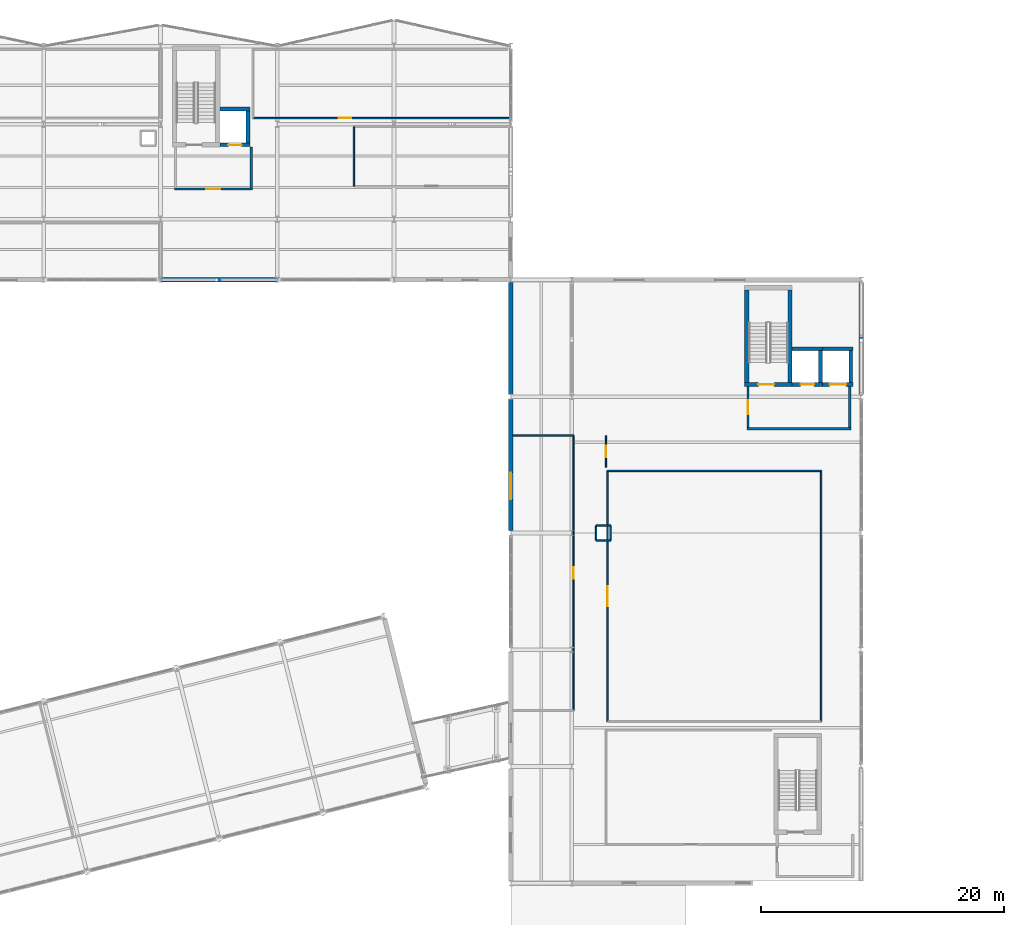
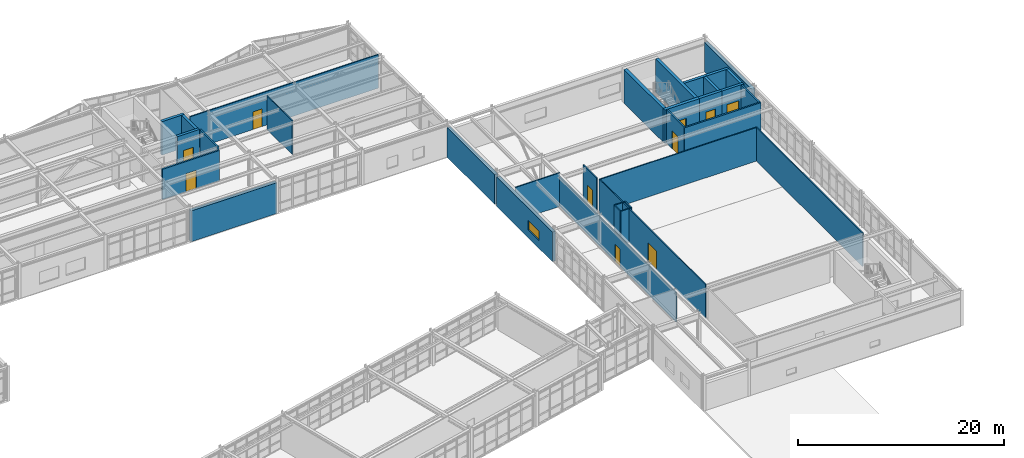
# One storey, part 75 of 88: 33 walls, 10 doors, 1 window, 11 openings.
"""IFC4 building model written with IfcOpenShell, lengths in metres."""

from ifc_helpers import new_model, si_unit, direction, frame, frame_2d, origin, place, context, subcontext, project, spatial, rectangle, extrude, material, layer, layer_set, type_object, element, fill, save


model = new_model("IFC4")

# Units and contexts
model_context = context("Model", 3, precision=1e-05, world=origin(), true_north=direction((0.0, 1.0)))
body_context = subcontext(model_context, "Body", "Model", "MODEL_VIEW")
ifc_project = project(units=[si_unit("LENGTHUNIT", "METRE"), si_unit("AREAUNIT", "SQUARE_METRE"), si_unit("VOLUMEUNIT", "CUBIC_METRE"), si_unit("PLANEANGLEUNIT", "RADIAN"), si_unit("MASSUNIT", "GRAM", prefix="KILO")], contexts=[model_context])

# Site, building, storey
site_placement = place(None, origin())
site = spatial("IfcSite", under=ifc_project, at=site_placement, CompositionType="ELEMENT")
building_placement = place(site_placement, origin())
building = spatial("IfcBuilding", under=site, at=building_placement, Name="Nordkorset Police Headquarters", CompositionType="ELEMENT")
storey_placement = place(building_placement, frame((0.0, 0.0, 9.449951171875)))
storey = spatial("IfcBuildingStorey", under=building, at=storey_placement, Name="L02", CompositionType="ELEMENT", Elevation=9.449951171875)

# Wall, opening, door
ifc_material_1 = material(Name="Gypsum board", Category="gypsum")
ifc_layer_1 = layer(ifc_material_1, 0.179931640625, Name="Gypsum board")
ifc_layer_set_1 = layer_set([ifc_layer_1], Name="Gypsum board")
wall_type_1 = type_object("IfcWallType", Name="Wall_Comp_180", PredefinedType="PARTITIONING", material=ifc_layer_set_1)
wall_1_placement = place(storey_placement, frame((58.75, 105.06005859375, 0.0), z_axis=(0.0, 0.0, 1.0), x_axis=(1.0, 0.0, 0.0)))
wall_1 = element("IfcWall", 1, at=wall_1_placement, inside=storey, type_object=wall_type_1, Name="Firefighting Lobby EI 60 Wall K2 L02 S", PredefinedType="PARTITIONING", context=body_context, shape_type="SweptSolid", body=[
    extrude(rectangle(XDim=6.39990234375, YDim=0.179931640625, at=frame_2d((3.199951171875, 0.0))), origin(), (0.0, 0.0, 1.0), 3.590087890625),
])
opening_1_placement = place(wall_1_placement, frame((2.625, 0.0, 0.0)))
opening_1 = element("IfcOpeningElement", 2, at=opening_1_placement, cuts=wall_1, Name="Opening DR-01", PredefinedType="OPENING", context=body_context, shape_type="SweptSolid", body=[
    extrude(rectangle(XDim=1.14990234375, YDim=2.14990234375, at=frame_2d((0.574951171875, 1.074951171875))), frame((0.0, 0.10009765625, 0.0), z_axis=(0.0, -1.0, 0.0), x_axis=(1.0, 0.0, 0.0)), (0.0, 0.0, 1.0), 0.199951171875),
])
ifc_material_2 = material(Name="Steel S355J2", Category="steel")
door_type_1 = type_object("IfcDoorType", Name="Door_LobbySingle_1150x2150", OperationType="NOTDEFINED", PredefinedType="DOOR", material=ifc_material_2)
door_1_placement = place(opening_1_placement, frame((1.14990234375, 0.0, 0.0), z_axis=(0.0, 0.0, 1.0), x_axis=(-1.0, 0.0, 0.0)))
door_1 = element("IfcDoor", 3, at=door_1_placement, inside=storey, type_object=door_type_1, Name="Firefighting Lobby Smoke Door K2 L02 S", OperationType="SINGLE_SWING_LEFT", OverallHeight=2.14990234375, OverallWidth=1.14990234375, PredefinedType="DOOR", context=body_context, shape_type="SweptSolid", body=[
    extrude(rectangle(XDim=1.14990234375, YDim=2.14990234375, at=frame_2d((0.574951171875, 1.074951171875))), frame((0.0, 0.02490234375, 0.0), z_axis=(0.0, -1.0, 0.0), x_axis=(1.0, 0.0, 0.0)), (0.0, 0.0, 1.0), 0.050048828125),
])
fill(opening_1, door_1)

# Walls
wall_2_placement = place(storey_placement, frame((65.06005859375, 105.14990234375, 0.0), z_axis=(0.0, 0.0, 1.0), x_axis=(0.0, 1.0, 0.0)))
element("IfcWall", 4, at=wall_2_placement, inside=storey, type_object=wall_type_1, Name="Firefighting Lobby EI 60 Wall K2 L02 E", PredefinedType="PARTITIONING", context=body_context, shape_type="SweptSolid", body=[
    extrude(rectangle(XDim=3.375, YDim=0.179931640625, at=frame_2d((1.6875, 0.0))), origin(), (0.0, 0.0, 1.0), 3.969970703125),
])
wall_3_placement = place(storey_placement, frame((105.800048828125, 85.360107421875, 0.0), z_axis=(0.0, 0.0, 1.0), x_axis=(1.0, 0.0, 0.0)))
element("IfcWall", 5, at=wall_3_placement, inside=storey, type_object=wall_type_1, Name="Firefighting Lobby EI 60 Wall K5 L02 S", PredefinedType="PARTITIONING", context=body_context, shape_type="SweptSolid", body=[
    extrude(rectangle(XDim=8.550048828125, YDim=0.179931640625, at=frame_2d((4.27490234375, 0.0))), origin(), (0.0, 0.0, 1.0), 3.969970703125),
])

# Wall, opening, door
wall_4_placement = place(storey_placement, frame((105.889892578125, 85.449951171875, 0.0), z_axis=(0.0, 0.0, 1.0), x_axis=(0.0, 1.0, 0.0)))
wall_4 = element("IfcWall", 6, at=wall_4_placement, inside=storey, type_object=wall_type_1, Name="Firefighting Lobby EI 60 Wall K5 L02 W", PredefinedType="PARTITIONING", context=body_context, shape_type="SweptSolid", body=[
    extrude(rectangle(XDim=3.375, YDim=0.179931640625, at=frame_2d((1.6875, 0.0))), origin(), (0.0, 0.0, 1.0), 3.969970703125),
])
opening_2_placement = place(wall_4_placement, frame((1.112548828125, 0.0, 0.0)))
opening_2 = element("IfcOpeningElement", 7, at=opening_2_placement, cuts=wall_4, Name="Opening DR-01", PredefinedType="OPENING", context=body_context, shape_type="SweptSolid", body=[
    extrude(rectangle(XDim=1.14990234375, YDim=2.14990234375, at=frame_2d((0.574951171875, 1.074951171875))), frame((0.0, 0.10009765625, 0.0), z_axis=(0.0, -1.0, 0.0), x_axis=(1.0, 0.0, 0.0)), (0.0, 0.0, 1.0), 0.199951171875),
])
door_2_placement = place(opening_2_placement, origin())
door_2 = element("IfcDoor", 8, at=door_2_placement, inside=storey, type_object=door_type_1, Name="Firefighting Lobby Smoke Door K5 L02 W", OperationType="SINGLE_SWING_LEFT", OverallHeight=2.14990234375, OverallWidth=1.14990234375, PredefinedType="DOOR", context=body_context, shape_type="SweptSolid", body=[
    extrude(rectangle(XDim=1.14990234375, YDim=2.14990234375, at=frame_2d((0.574951171875, 1.074951171875))), frame((0.0, 0.02490234375, 0.0), z_axis=(0.0, -1.0, 0.0), x_axis=(1.0, 0.0, 0.0)), (0.0, 0.0, 1.0), 0.050048828125),
])
fill(opening_2, door_2)

# Wall
wall_5_placement = place(storey_placement, frame((114.260009765625, 85.449951171875, 0.0), z_axis=(0.0, 0.0, 1.0), x_axis=(0.0, 1.0, 0.0)))
element("IfcWall", 9, at=wall_5_placement, inside=storey, type_object=wall_type_1, Name="Firefighting Lobby EI 60 Wall K5 L02 E", PredefinedType="PARTITIONING", context=body_context, shape_type="SweptSolid", body=[
    extrude(rectangle(XDim=3.375, YDim=0.179931640625, at=frame_2d((1.6875, 0.0))), origin(), (0.0, 0.0, 1.0), 3.969970703125),
])

# Wall, opening, door
ifc_material_3 = material(Name="Concrete C35/45", Category="concrete")
ifc_layer_2 = layer(ifc_material_3, 0.35009765625, Name="Concrete C35/45")
ifc_layer_set_2 = layer_set([ifc_layer_2], Name="Concrete C35/45")
wall_type_2 = type_object("IfcWallType", Name="Wall_CoreShear_350", PredefinedType="SHEAR", material=ifc_layer_set_2)
wall_6_placement = place(storey_placement, frame((105.625, 89.0, 0.0), z_axis=(0.0, 0.0, 1.0), x_axis=(1.0, 0.0, 0.0)))
wall_6 = element("IfcWall", 10, at=wall_6_placement, inside=storey, type_object=wall_type_2, Name="Core K5 Stair Shaft South Shear Wall L02", PredefinedType="SHEAR", context=body_context, shape_type="SweptSolid", body=[
    extrude(rectangle(XDim=3.89990234375, YDim=0.35009765625, at=frame_2d((1.949951171875, 0.0))), origin(), (0.0, 0.0, 1.0), 3.969970703125),
])
opening_3_placement = place(wall_6_placement, frame((1.125, 0.0, 0.0)))
opening_3 = element("IfcOpeningElement", 11, at=opening_3_placement, cuts=wall_6, Name="Opening DR-20", PredefinedType="OPENING", context=body_context, shape_type="SweptSolid", body=[
    extrude(rectangle(XDim=1.300048828125, YDim=2.14990234375, at=frame_2d((0.64990234375, 1.074951171875))), frame((0.0, 0.18505859375, 0.0), z_axis=(0.0, -1.0, 0.0), x_axis=(1.0, 0.0, 0.0)), (0.0, 0.0, 1.0), 0.3701171875),
])
ifc_material_4 = material(Name="Steel S355J2", Category="steel")
door_type_2 = type_object("IfcDoorType", Name="Door_Stair_1300x2150", OperationType="NOTDEFINED", PredefinedType="DOOR", material=ifc_material_4)
door_3_placement = place(opening_3_placement, frame((1.300048828125, 0.0, 0.0), z_axis=(0.0, 0.0, 1.0), x_axis=(-1.0, 0.0, 0.0)))
door_3 = element("IfcDoor", 12, at=door_3_placement, inside=storey, type_object=door_type_2, Name="Protected Stair Fire Door ST-05 L02", OperationType="SINGLE_SWING_RIGHT", OverallHeight=2.14990234375, OverallWidth=1.300048828125, PredefinedType="DOOR", context=body_context, shape_type="SweptSolid", body=[
    extrude(rectangle(XDim=1.300048828125, YDim=2.14990234375, at=frame_2d((0.64990234375, 1.074951171875))), frame((0.0, 0.02490234375, 0.0), z_axis=(0.0, -1.0, 0.0), x_axis=(1.0, 0.0, 0.0)), (0.0, 0.0, 1.0), 0.050048828125),
])
fill(opening_3, door_3)

# Walls
for number, where, z_axis, x_axis, name in (
    (13, (105.800048828125, 89.175048828125, 0.0), (0.0, 0.0, 1.0), (0.0, 1.0, 0.0), "Core K5 Stair Shaft West Shear Wall L02"),
    (14, (109.35009765625, 89.175048828125, 0.0), (0.0, 0.0, 1.0), (0.0, 1.0, 0.0), "Core K5 Stair Shaft East Shear Wall L02"),
):
    element("IfcWall", number, at=place(storey_placement, frame(where, z_axis=z_axis, x_axis=x_axis)), inside=storey, type_object=wall_type_2, Name=name, PredefinedType="SHEAR", context=body_context, shape_type="SweptSolid", body=[
        extrude(rectangle(XDim=7.599853515625, YDim=0.35009765625, at=frame_2d((3.7998046875, 0.0))), origin(), (0.0, 0.0, 1.0), 3.969970703125),
    ])
ifc_material_5 = material(Name="Precast concrete C40/50", Category="concrete")
ifc_layer_3 = layer(ifc_material_5, 0.360107421875, Name="Precast concrete C40/50")
ifc_layer_set_3 = layer_set([ifc_layer_3], Name="Precast concrete C40/50")
wall_type_3 = type_object("IfcWallType", Name="Wall_ExtPrecast_360", PredefinedType="SOLIDWALL", material=ifc_layer_set_3)
wall_7_placement = place(storey_placement, frame((57.608642578125, 97.60009765625, 0.0), z_axis=(0.0, 0.0, 1.0), x_axis=(1.0, 0.0, 0.0)))
element("IfcWall", 15, at=wall_7_placement, inside=storey, type_object=wall_type_3, Name="Exterior Insulated Precast Wall L02 V2S-3", PredefinedType="SOLIDWALL", context=body_context, shape_type="SweptSolid", body=[
    extrude(rectangle(XDim=9.58251953125, YDim=0.360107421875, at=frame_2d((4.791259765625, 0.0))), origin(), (0.0, 0.0, 1.0), 3.64013671875),
])

# Wall, opening, window
wall_8_placement = place(storey_placement, frame((86.39990234375, 77.001953125, 0.0), z_axis=(0.0, 0.0, 1.0), x_axis=(0.0, 1.0, 0.0)))
wall_8 = element("IfcWall", 16, at=wall_8_placement, inside=storey, type_object=wall_type_3, Name="Exterior Insulated Precast Wall L02 V5W-3", PredefinedType="SOLIDWALL", context=body_context, shape_type="SweptSolid", body=[
    extrude(rectangle(XDim=10.796142578125, YDim=0.360107421875, at=frame_2d((5.39794921875, 0.0))), origin(), (0.0, 0.0, 1.0), 3.505126953125),
])
opening_4_placement = place(wall_8_placement, frame((2.564697265625, 0.0, 0.89990234375)))
opening_4 = element("IfcOpeningElement", 17, at=opening_4_placement, cuts=wall_8, Name="Opening WN-07", PredefinedType="OPENING", context=body_context, shape_type="SweptSolid", body=[
    extrude(rectangle(XDim=2.199951171875, YDim=1.14990234375, at=frame_2d((1.10009765625, 0.574951171875))), frame((0.0, 0.18994140625, 0.0), z_axis=(0.0, -1.0, 0.0), x_axis=(1.0, 0.0, 0.0)), (0.0, 0.0, 1.0), 0.380126953125),
])
ifc_material_6 = material(Name="Low-iron triple glazing", Category="glass")
window_type = type_object("IfcWindowType", Name="Win_2200x1150", PartitioningType="SINGLE_PANEL", PredefinedType="WINDOW", material=ifc_material_6)
window_placement = place(opening_4_placement, origin())
window = element("IfcWindow", 18, at=window_placement, inside=storey, type_object=window_type, Name="Triple-Glazed Exterior Window L02 V5W-3-1", OverallHeight=1.14990234375, OverallWidth=2.199951171875, PartitioningType="SINGLE_PANEL", PredefinedType="WINDOW", context=body_context, shape_type="SweptSolid", body=[
    extrude(rectangle(XDim=2.199951171875, YDim=1.14990234375, at=frame_2d((1.10009765625, 0.574951171875))), frame((0.0, 0.030029296875, 0.0), z_axis=(0.0, -1.0, 0.0), x_axis=(1.0, 0.0, 0.0)), (0.0, 0.0, 1.0), 0.06005859375),
])
fill(opening_4, window)

# Walls
wall_9_placement = place(storey_placement, frame((115.199951171875, 88.201904296875, 0.0), z_axis=(0.0, 0.0, 1.0), x_axis=(0.0, 1.0, 0.0)))
element("IfcWall", 19, at=wall_9_placement, inside=storey, type_object=wall_type_3, Name="Exterior Insulated Precast Wall L02 V5E-4", PredefinedType="SOLIDWALL", context=body_context, shape_type="SweptSolid", body=[
    extrude(rectangle(XDim=9.196044921875, YDim=0.360107421875, at=frame_2d((4.59814453125, 0.0))), origin(), (0.0, 0.0, 1.0), 3.510009765625),
])
wall_10_placement = place(storey_placement, frame((86.39990234375, 88.201904296875, 0.0), z_axis=(0.0, 0.0, 1.0), x_axis=(0.0, 1.0, 0.0)))
element("IfcWall", 20, at=wall_10_placement, inside=storey, type_object=wall_type_3, Name="Exterior Insulated Precast Wall L02 V5W-4", PredefinedType="SOLIDWALL", context=body_context, shape_type="SweptSolid", body=[
    extrude(rectangle(XDim=9.196044921875, YDim=0.360107421875, at=frame_2d((4.59814453125, 0.0))), origin(), (0.0, 0.0, 1.0), 3.505126953125),
])

# Wall, opening, door
ifc_material_7 = material(Name="Gypsum board", Category="gypsum")
ifc_layer_4 = layer(ifc_material_7, 0.1201171875, Name="Gypsum board")
ifc_layer_set_4 = layer_set([ifc_layer_4], Name="Gypsum board")
wall_type_4 = type_object("IfcWallType", Name="Wall_Part_120", PredefinedType="PARTITIONING", material=ifc_layer_set_4)
wall_11_placement = place(storey_placement, frame((65.199951171875, 110.89990234375, 0.0), z_axis=(0.0, 0.0, 1.0), x_axis=(1.0, 0.0, 0.0)))
wall_11 = element("IfcWall", 21, at=wall_11_placement, inside=storey, type_object=wall_type_4, Name="Interior Partition Wall Missing Persons Investigation Unit", PredefinedType="PARTITIONING", context=body_context, shape_type="SweptSolid", body=[
    extrude(rectangle(XDim=21.114990234375, YDim=0.1201171875, at=frame_2d((10.5576171875, 0.0))), origin(), (0.0, 0.0, 1.0), 3.969970703125),
])
opening_5_placement = place(wall_11_placement, frame((7.047607421875, 0.0, 0.0)))
opening_5 = element("IfcOpeningElement", 22, at=opening_5_placement, cuts=wall_11, Name="Opening DR-19", PredefinedType="OPENING", context=body_context, shape_type="SweptSolid", body=[
    extrude(rectangle(XDim=1.02001953125, YDim=2.10009765625, at=frame_2d((0.510009765625, 1.050048828125))), frame((0.0, 0.070068359375, 0.0), z_axis=(0.0, -1.0, 0.0), x_axis=(1.0, 0.0, 0.0)), (0.0, 0.0, 1.0), 0.14013671875),
])
ifc_material_8 = material(Name="Glulam GL30c", Category="wood")
door_type_3 = type_object("IfcDoorType", Name="Door_Office_1020x2100", OperationType="NOTDEFINED", PredefinedType="DOOR", material=ifc_material_8)
door_4_placement = place(opening_5_placement, origin())
door_4 = element("IfcDoor", 23, at=door_4_placement, inside=storey, type_object=door_type_3, Name="Interior Door Missing Persons Investigation Unit", OperationType="SINGLE_SWING_LEFT", OverallHeight=2.10009765625, OverallWidth=1.02001953125, PredefinedType="DOOR", context=body_context, shape_type="SweptSolid", body=[
    extrude(rectangle(XDim=1.02001953125, YDim=2.10009765625, at=frame_2d((0.510009765625, 1.050048828125))), frame((0.0, 0.02490234375, 0.0), z_axis=(0.0, -1.0, 0.0), x_axis=(1.0, 0.0, 0.0)), (0.0, 0.0, 1.0), 0.050048828125),
])
fill(opening_5, door_4)

# Wall
wall_12_placement = place(storey_placement, frame((73.5, 110.199951171875, 0.0), z_axis=(0.0, 0.0, 1.0), x_axis=(0.0, -1.0, 0.0)))
element("IfcWall", 24, at=wall_12_placement, inside=storey, type_object=wall_type_4, Name="Interior Partition Wall Case Evidence Review Room", PredefinedType="PARTITIONING", context=body_context, shape_type="SweptSolid", body=[
    extrude(rectangle(XDim=4.89990234375, YDim=0.1201171875, at=frame_2d((2.449951171875, 0.0))), origin(), (0.0, 0.0, 1.0), 3.969970703125),
])

# Wall, opening, door
wall_13_placement = place(storey_placement, frame((91.550048828125, 62.199951171875, 0.0), z_axis=(0.0, 0.0, 1.0), x_axis=(0.0, 1.0, 0.0)))
wall_13 = element("IfcWall", 25, at=wall_13_placement, inside=storey, type_object=wall_type_4, Name="Interior Partition Wall Physical Readiness Assessment Suite", PredefinedType="PARTITIONING", context=body_context, shape_type="SweptSolid", body=[
    extrude(rectangle(XDim=22.60009765625, YDim=0.1201171875, at=frame_2d((11.300048828125, 0.0))), origin(), (0.0, 0.0, 1.0), 3.505126953125),
])
opening_6_placement = place(wall_13_placement, frame((10.820068359375, 0.0, 0.0)))
opening_6 = element("IfcOpeningElement", 26, at=opening_6_placement, cuts=wall_13, Name="Opening DR-08", PredefinedType="OPENING", context=body_context, shape_type="SweptSolid", body=[
    extrude(rectangle(XDim=0.9599609375, YDim=2.080078125, at=frame_2d((0.47998046875, 1.0400390625))), frame((0.0, 0.070068359375, 0.0), z_axis=(0.0, -1.0, 0.0), x_axis=(1.0, 0.0, 0.0)), (0.0, 0.0, 1.0), 0.14013671875),
])
ifc_material_9 = material(Name="Glulam GL30c", Category="wood")
door_type_4 = type_object("IfcDoorType", Name="Door_Welfare_960x2080", OperationType="NOTDEFINED", PredefinedType="DOOR", material=ifc_material_9)
door_5_placement = place(opening_6_placement, frame((0.9599609375, 0.0, 0.0), z_axis=(0.0, 0.0, 1.0), x_axis=(-1.0, 0.0, 0.0)))
door_5 = element("IfcDoor", 27, at=door_5_placement, inside=storey, type_object=door_type_4, Name="Interior Door Physical Readiness Assessment Suite", OperationType="SINGLE_SWING_RIGHT", OverallHeight=2.080078125, OverallWidth=0.9599609375, PredefinedType="DOOR", context=body_context, shape_type="SweptSolid", body=[
    extrude(rectangle(XDim=0.9599609375, YDim=2.080078125, at=frame_2d((0.47998046875, 1.0400390625))), frame((0.0, 0.02490234375, 0.0), z_axis=(0.0, -1.0, 0.0), x_axis=(1.0, 0.0, 0.0)), (0.0, 0.0, 1.0), 0.050048828125),
])
fill(opening_6, door_5)

# Walls
wall_14_placement = place(storey_placement, frame((91.550048828125, 84.800048828125, 0.0), z_axis=(0.0, 0.0, 1.0), x_axis=(-1.0, 0.0, 0.0)))
element("IfcWall", 28, at=wall_14_placement, inside=storey, type_object=wall_type_4, Name="Interior Partition Wall Physical Readiness Assessment Suite", PredefinedType="PARTITIONING", context=body_context, shape_type="SweptSolid", body=[
    extrude(rectangle(XDim=4.97509765625, YDim=0.1201171875, at=frame_2d((2.487548828125, 0.0))), origin(), (0.0, 0.0, 1.0), 3.969970703125),
])
wall_15_placement = place(storey_placement, frame((111.89990234375, 61.300048828125, 0.0), z_axis=(0.0, 0.0, 1.0), x_axis=(0.0, 1.0, 0.0)))
element("IfcWall", 29, at=wall_15_placement, inside=storey, type_object=wall_type_4, Name="Interior Partition Wall Gymnasium", PredefinedType="PARTITIONING", context=body_context, shape_type="SweptSolid", body=[
    extrude(rectangle(XDim=20.599853515625, YDim=0.1201171875, at=frame_2d((10.2998046875, 0.0))), origin(), (0.0, 0.0, 1.0), 3.969970703125),
])
wall_16_placement = place(storey_placement, frame((111.89990234375, 81.89990234375, 0.0), z_axis=(0.0, 0.0, 1.0), x_axis=(-1.0, 0.0, 0.0)))
element("IfcWall", 30, at=wall_16_placement, inside=storey, type_object=wall_type_4, Name="Interior Partition Wall Gymnasium", PredefinedType="PARTITIONING", context=body_context, shape_type="SweptSolid", body=[
    extrude(rectangle(XDim=17.5498046875, YDim=0.1201171875, at=frame_2d((8.77490234375, 0.0))), origin(), (0.0, 0.0, 1.0), 3.969970703125),
])

# Wall, opening, door
wall_17_placement = place(storey_placement, frame((94.35009765625, 81.89990234375, 0.0), z_axis=(0.0, 0.0, 1.0), x_axis=(0.0, -1.0, 0.0)))
wall_17 = element("IfcWall", 31, at=wall_17_placement, inside=storey, type_object=wall_type_4, Name="Interior Partition Wall Gymnasium", PredefinedType="PARTITIONING", context=body_context, shape_type="SweptSolid", body=[
    extrude(rectangle(XDim=20.599853515625, YDim=0.1201171875, at=frame_2d((10.2998046875, 0.0))), origin(), (0.0, 0.0, 1.0), 3.969970703125),
])
opening_7_placement = place(wall_17_placement, frame((9.489990234375, 0.0, 0.0)))
opening_7 = element("IfcOpeningElement", 32, at=opening_7_placement, cuts=wall_17, Name="Opening DR-11", PredefinedType="OPENING", context=body_context, shape_type="SweptSolid", body=[
    extrude(rectangle(XDim=1.6201171875, YDim=2.199951171875, at=frame_2d((0.81005859375, 1.10009765625))), frame((0.0, 0.070068359375, 0.0), z_axis=(0.0, -1.0, 0.0), x_axis=(1.0, 0.0, 0.0)), (0.0, 0.0, 1.0), 0.14013671875),
])
ifc_material_10 = material(Name="Aluminium alloy AW-6060", Category="aluminium")
door_type_5 = type_object("IfcDoorType", Name="Door_GymDouble_1620x2200", OperationType="DOUBLE_DOOR_SINGLE_SWING", PredefinedType="DOOR", material=ifc_material_10)
door_6_placement = place(opening_7_placement, origin())
door_6 = element("IfcDoor", 33, at=door_6_placement, inside=storey, type_object=door_type_5, Name="Interior Door Gymnasium", OperationType="DOUBLE_DOOR_SINGLE_SWING", OverallHeight=2.199951171875, OverallWidth=1.6201171875, PredefinedType="DOOR", context=body_context, shape_type="SweptSolid", body=[
    extrude(rectangle(XDim=1.6201171875, YDim=2.199951171875, at=frame_2d((0.81005859375, 1.10009765625))), frame((0.0, 0.02490234375, 0.0), z_axis=(0.0, -1.0, 0.0), x_axis=(1.0, 0.0, 0.0)), (0.0, 0.0, 1.0), 0.050048828125),
])
fill(opening_7, door_6)

wall_18_placement = place(storey_placement, frame((94.219970703125, 84.800048828125, 0.0), z_axis=(0.0, 0.0, 1.0), x_axis=(0.0, -1.0, 0.0)))
wall_18 = element("IfcWall", 34, at=wall_18_placement, inside=storey, type_object=wall_type_4, Name="Interior Partition Wall Sports Apparatus Store", PredefinedType="PARTITIONING", context=body_context, shape_type="SweptSolid", body=[
    extrude(rectangle(XDim=2.60009765625, YDim=0.1201171875, at=frame_2d((1.300048828125, 0.0))), origin(), (0.0, 0.0, 1.0), 3.969970703125),
])
opening_8_placement = place(wall_18_placement, frame((0.820068359375, 0.0, 0.0)))
opening_8 = element("IfcOpeningElement", 35, at=opening_8_placement, cuts=wall_18, Name="Opening DR-08", PredefinedType="OPENING", context=body_context, shape_type="SweptSolid", body=[
    extrude(rectangle(XDim=0.9599609375, YDim=2.080078125, at=frame_2d((0.47998046875, 1.0400390625))), frame((0.0, 0.070068359375, 0.0), z_axis=(0.0, -1.0, 0.0), x_axis=(1.0, 0.0, 0.0)), (0.0, 0.0, 1.0), 0.14013671875),
])
door_7_placement = place(opening_8_placement, frame((0.9599609375, 0.0, 0.0), z_axis=(0.0, 0.0, 1.0), x_axis=(-1.0, 0.0, 0.0)))
door_7 = element("IfcDoor", 36, at=door_7_placement, inside=storey, type_object=door_type_4, Name="Interior Door Sports Apparatus Store", OperationType="SINGLE_SWING_LEFT", OverallHeight=2.080078125, OverallWidth=0.9599609375, PredefinedType="DOOR", context=body_context, shape_type="SweptSolid", body=[
    extrude(rectangle(XDim=0.9599609375, YDim=2.080078125, at=frame_2d((0.47998046875, 1.0400390625))), frame((0.0, 0.02490234375, 0.0), z_axis=(0.0, -1.0, 0.0), x_axis=(1.0, 0.0, 0.0)), (0.0, 0.0, 1.0), 0.050048828125),
])
fill(opening_8, door_7)

# Walls
ifc_material_11 = material(Name="Gypsum board", Category="gypsum")
ifc_layer_5 = layer(ifc_material_11, 0.125, Name="Gypsum board")
ifc_layer_set_5 = layer_set([ifc_layer_5], Name="Gypsum board")
wall_type_5 = type_object("IfcWallType", Name="Wall_Riser_125", PredefinedType="PARTITIONING", material=ifc_layer_set_5)
wall_19_placement = place(storey_placement, frame((93.39990234375, 76.199951171875, 0.0), z_axis=(0.0, 0.0, 1.0), x_axis=(1.0, 0.0, 0.0)))
element("IfcWall", 37, at=wall_19_placement, inside=storey, type_object=wall_type_5, Name="Service Riser Enclosure RSR-V5 L02", PredefinedType="PARTITIONING", context=body_context, shape_type="SweptSolid", body=[
    extrude(rectangle(XDim=1.2001953125, YDim=0.125, at=frame_2d((0.60009765625, 0.0))), origin(), (0.0, 0.0, 1.0), 3.969970703125),
])
wall_20_placement = place(storey_placement, frame((94.60009765625, 76.199951171875, 0.0), z_axis=(0.0, 0.0, 1.0), x_axis=(0.0, 1.0, 0.0)))
element("IfcWall", 38, at=wall_20_placement, inside=storey, type_object=wall_type_5, Name="Service Riser Enclosure RSR-V5 L02", PredefinedType="PARTITIONING", context=body_context, shape_type="SweptSolid", body=[
    extrude(rectangle(XDim=1.199951171875, YDim=0.125, at=frame_2d((0.60009765625, 0.0))), origin(), (0.0, 0.0, 1.0), 3.969970703125),
])
wall_21_placement = place(storey_placement, frame((94.60009765625, 77.39990234375, 0.0), z_axis=(0.0, 0.0, 1.0), x_axis=(-1.0, 0.0, 0.0)))
element("IfcWall", 39, at=wall_21_placement, inside=storey, type_object=wall_type_5, Name="Service Riser Enclosure RSR-V5 L02", PredefinedType="PARTITIONING", context=body_context, shape_type="SweptSolid", body=[
    extrude(rectangle(XDim=1.2001953125, YDim=0.125, at=frame_2d((0.60009765625, 0.0))), origin(), (0.0, 0.0, 1.0), 3.969970703125),
])
wall_22_placement = place(storey_placement, frame((93.39990234375, 77.39990234375, 0.0), z_axis=(0.0, 0.0, 1.0), x_axis=(0.0, -1.0, 0.0)))
element("IfcWall", 40, at=wall_22_placement, inside=storey, type_object=wall_type_5, Name="Service Riser Enclosure RSR-V5 L02", PredefinedType="PARTITIONING", context=body_context, shape_type="SweptSolid", body=[
    extrude(rectangle(XDim=1.199951171875, YDim=0.125, at=frame_2d((0.60009765625, 0.0))), origin(), (0.0, 0.0, 1.0), 3.969970703125),
])

# Wall, opening, door
ifc_material_12 = material(Name="Concrete C35/45", Category="concrete")
ifc_layer_6 = layer(ifc_material_12, 0.300048828125, Name="Concrete C35/45")
ifc_layer_set_6 = layer_set([ifc_layer_6], Name="Concrete C35/45")
wall_type_6 = type_object("IfcWallType", Name="Wall_ShaftShear_300", PredefinedType="SHEAR", material=ifc_layer_set_6)
wall_23_placement = place(storey_placement, frame((62.47509765625, 108.699951171875, 0.0), z_axis=(0.0, 0.0, 1.0), x_axis=(1.0, 0.0, 0.0)))
wall_23 = element("IfcWall", 41, at=wall_23_placement, inside=storey, type_object=wall_type_6, Name="Lift Shaft LF-04 Front Shear Wall L02", PredefinedType="SHEAR", context=body_context, shape_type="SweptSolid", body=[
    extrude(rectangle(XDim=2.5, YDim=0.300048828125, at=frame_2d((1.25, 0.0))), origin(), (0.0, 0.0, 1.0), 3.969970703125),
])
opening_9_placement = place(wall_23_placement, frame((0.699951171875, 0.0, 0.0)))
opening_9 = element("IfcOpeningElement", 42, at=opening_9_placement, cuts=wall_23, Name="Opening LD-04", PredefinedType="OPENING", context=body_context, shape_type="SweptSolid", body=[
    extrude(rectangle(XDim=1.10009765625, YDim=2.10009765625, at=frame_2d((0.550048828125, 1.050048828125))), frame((0.0, 0.16015625, 0.0), z_axis=(0.0, -1.0, 0.0), x_axis=(1.0, 0.0, 0.0)), (0.0, 0.0, 1.0), 0.320068359375),
])
ifc_material_13 = material(Name="Steel S355J2", Category="steel")
door_type_6 = type_object("IfcDoorType", Name="Door_LiftLanding_1100x2100", OperationType="SLIDING_TO_LEFT", PredefinedType="DOOR", material=ifc_material_13)
door_8_placement = place(opening_9_placement, frame((1.10009765625, 0.0, 0.0), z_axis=(0.0, 0.0, 1.0), x_axis=(-1.0, 0.0, 0.0)))
door_8 = element("IfcDoor", 43, at=door_8_placement, inside=storey, type_object=door_type_6, Name="Lift Landing Sliding Door LF-04 L02", OperationType="SLIDING_TO_LEFT", OverallHeight=2.10009765625, OverallWidth=1.10009765625, PredefinedType="DOOR", context=body_context, shape_type="SweptSolid", body=[
    extrude(rectangle(XDim=1.10009765625, YDim=2.10009765625, at=frame_2d((0.550048828125, 1.050048828125))), frame((0.0, 0.02490234375, 0.0), z_axis=(0.0, -1.0, 0.0), x_axis=(1.0, 0.0, 0.0)), (0.0, 0.0, 1.0), 0.050048828125),
])
fill(opening_9, door_8)

# Walls
wall_24_placement = place(storey_placement, frame((62.47509765625, 111.64990234375, 0.0), z_axis=(0.0, 0.0, 1.0), x_axis=(1.0, 0.0, 0.0)))
element("IfcWall", 44, at=wall_24_placement, inside=storey, type_object=wall_type_6, Name="Lift Shaft LF-04 Rear Shear Wall L02", PredefinedType="SHEAR", context=body_context, shape_type="SweptSolid", body=[
    extrude(rectangle(XDim=2.5, YDim=0.300048828125, at=frame_2d((1.25, 0.0))), origin(), (0.0, 0.0, 1.0), 3.969970703125),
])
wall_25_placement = place(storey_placement, frame((64.800048828125, 108.85009765625, 0.0), z_axis=(0.0, 0.0, 1.0), x_axis=(0.0, 1.0, 0.0)))
element("IfcWall", 45, at=wall_25_placement, inside=storey, type_object=wall_type_6, Name="Lift Shaft LF-04 East Shear Wall L02", PredefinedType="SHEAR", context=body_context, shape_type="SweptSolid", body=[
    extrude(rectangle(XDim=2.64990234375, YDim=0.300048828125, at=frame_2d((1.324951171875, 0.0))), origin(), (0.0, 0.0, 1.0), 3.969970703125),
])

# Wall, opening, door
wall_26_placement = place(storey_placement, frame((109.52490234375, 89.0, 0.0), z_axis=(0.0, 0.0, 1.0), x_axis=(1.0, 0.0, 0.0)))
wall_26 = element("IfcWall", 46, at=wall_26_placement, inside=storey, type_object=wall_type_6, Name="Lift Shaft LF-05 Front Shear Wall L02", PredefinedType="SHEAR", context=body_context, shape_type="SweptSolid", body=[
    extrude(rectangle(XDim=2.5, YDim=0.300048828125, at=frame_2d((1.25, 0.0))), origin(), (0.0, 0.0, 1.0), 3.969970703125),
])
opening_10_placement = place(wall_26_placement, frame((0.699951171875, 0.0, 0.0)))
opening_10 = element("IfcOpeningElement", 47, at=opening_10_placement, cuts=wall_26, Name="Opening LD-05", PredefinedType="OPENING", context=body_context, shape_type="SweptSolid", body=[
    extrude(rectangle(XDim=1.10009765625, YDim=2.10009765625, at=frame_2d((0.550048828125, 1.050048828125))), frame((0.0, 0.16015625, 0.0), z_axis=(0.0, -1.0, 0.0), x_axis=(1.0, 0.0, 0.0)), (0.0, 0.0, 1.0), 0.320068359375),
])
door_9_placement = place(opening_10_placement, frame((1.10009765625, 0.0, 0.0), z_axis=(0.0, 0.0, 1.0), x_axis=(-1.0, 0.0, 0.0)))
door_9 = element("IfcDoor", 48, at=door_9_placement, inside=storey, type_object=door_type_6, Name="Lift Landing Sliding Door LF-05 L02", OperationType="SLIDING_TO_LEFT", OverallHeight=2.10009765625, OverallWidth=1.10009765625, PredefinedType="DOOR", context=body_context, shape_type="SweptSolid", body=[
    extrude(rectangle(XDim=1.10009765625, YDim=2.10009765625, at=frame_2d((0.550048828125, 1.050048828125))), frame((0.0, 0.02490234375, 0.0), z_axis=(0.0, -1.0, 0.0), x_axis=(1.0, 0.0, 0.0)), (0.0, 0.0, 1.0), 0.050048828125),
])
fill(opening_10, door_9)

# Walls
wall_27_placement = place(storey_placement, frame((109.52490234375, 91.949951171875, 0.0), z_axis=(0.0, 0.0, 1.0), x_axis=(1.0, 0.0, 0.0)))
element("IfcWall", 49, at=wall_27_placement, inside=storey, type_object=wall_type_6, Name="Lift Shaft LF-05 Rear Shear Wall L02", PredefinedType="SHEAR", context=body_context, shape_type="SweptSolid", body=[
    extrude(rectangle(XDim=2.5, YDim=0.300048828125, at=frame_2d((1.25, 0.0))), origin(), (0.0, 0.0, 1.0), 3.969970703125),
])
wall_28_placement = place(storey_placement, frame((111.85009765625, 89.14990234375, 0.0), z_axis=(0.0, 0.0, 1.0), x_axis=(0.0, 1.0, 0.0)))
element("IfcWall", 50, at=wall_28_placement, inside=storey, type_object=wall_type_6, Name="Lift Shaft LF-05 East Shear Wall L02", PredefinedType="SHEAR", context=body_context, shape_type="SweptSolid", body=[
    extrude(rectangle(XDim=2.650146484375, YDim=0.300048828125, at=frame_2d((1.3251953125, 0.0))), origin(), (0.0, 0.0, 1.0), 3.969970703125),
])

# Wall, opening, door
wall_29_placement = place(storey_placement, frame((112.02490234375, 89.0, 0.0), z_axis=(0.0, 0.0, 1.0), x_axis=(1.0, 0.0, 0.0)))
wall_29 = element("IfcWall", 51, at=wall_29_placement, inside=storey, type_object=wall_type_6, Name="Lift Shaft LF-07 Front Shear Wall L02", PredefinedType="SHEAR", context=body_context, shape_type="SweptSolid", body=[
    extrude(rectangle(XDim=2.5, YDim=0.300048828125, at=frame_2d((1.25, 0.0))), origin(), (0.0, 0.0, 1.0), 3.969970703125),
])
opening_11_placement = place(wall_29_placement, frame((0.574951171875, 0.0, 0.0)))
opening_11 = element("IfcOpeningElement", 52, at=opening_11_placement, cuts=wall_29, Name="Opening LD-07", PredefinedType="OPENING", context=body_context, shape_type="SweptSolid", body=[
    extrude(rectangle(XDim=1.35009765625, YDim=2.14990234375, at=frame_2d((0.675048828125, 1.074951171875))), frame((0.0, 0.16015625, 0.0), z_axis=(0.0, -1.0, 0.0), x_axis=(1.0, 0.0, 0.0)), (0.0, 0.0, 1.0), 0.320068359375),
])
ifc_material_14 = material(Name="Steel S355J2", Category="steel")
door_type_7 = type_object("IfcDoorType", Name="Door_LiftGoods_1350x2150", OperationType="SLIDING_TO_RIGHT", PredefinedType="DOOR", material=ifc_material_14)
door_10_placement = place(opening_11_placement, frame((1.35009765625, 0.0, 0.0), z_axis=(0.0, 0.0, 1.0), x_axis=(-1.0, 0.0, 0.0)))
door_10 = element("IfcDoor", 53, at=door_10_placement, inside=storey, type_object=door_type_7, Name="Lift Landing Sliding Door LF-07 L02", OperationType="SLIDING_TO_RIGHT", OverallHeight=2.14990234375, OverallWidth=1.35009765625, PredefinedType="DOOR", context=body_context, shape_type="SweptSolid", body=[
    extrude(rectangle(XDim=1.35009765625, YDim=2.14990234375, at=frame_2d((0.675048828125, 1.074951171875))), frame((0.0, 0.02490234375, 0.0), z_axis=(0.0, -1.0, 0.0), x_axis=(1.0, 0.0, 0.0)), (0.0, 0.0, 1.0), 0.050048828125),
])
fill(opening_11, door_10)

# Walls
wall_30_placement = place(storey_placement, frame((112.02490234375, 91.949951171875, 0.0), z_axis=(0.0, 0.0, 1.0), x_axis=(1.0, 0.0, 0.0)))
element("IfcWall", 54, at=wall_30_placement, inside=storey, type_object=wall_type_6, Name="Lift Shaft LF-07 Rear Shear Wall L02", PredefinedType="SHEAR", context=body_context, shape_type="SweptSolid", body=[
    extrude(rectangle(XDim=2.5, YDim=0.300048828125, at=frame_2d((1.25, 0.0))), origin(), (0.0, 0.0, 1.0), 3.969970703125),
])
wall_31_placement = place(storey_placement, frame((114.35009765625, 89.14990234375, 0.0), z_axis=(0.0, 0.0, 1.0), x_axis=(0.0, 1.0, 0.0)))
element("IfcWall", 55, at=wall_31_placement, inside=storey, type_object=wall_type_6, Name="Lift Shaft LF-07 East Shear Wall L02", PredefinedType="SHEAR", context=body_context, shape_type="SweptSolid", body=[
    extrude(rectangle(XDim=2.650146484375, YDim=0.300048828125, at=frame_2d((1.3251953125, 0.0))), origin(), (0.0, 0.0, 1.0), 3.969970703125),
])

save(model, "model.ifc")
